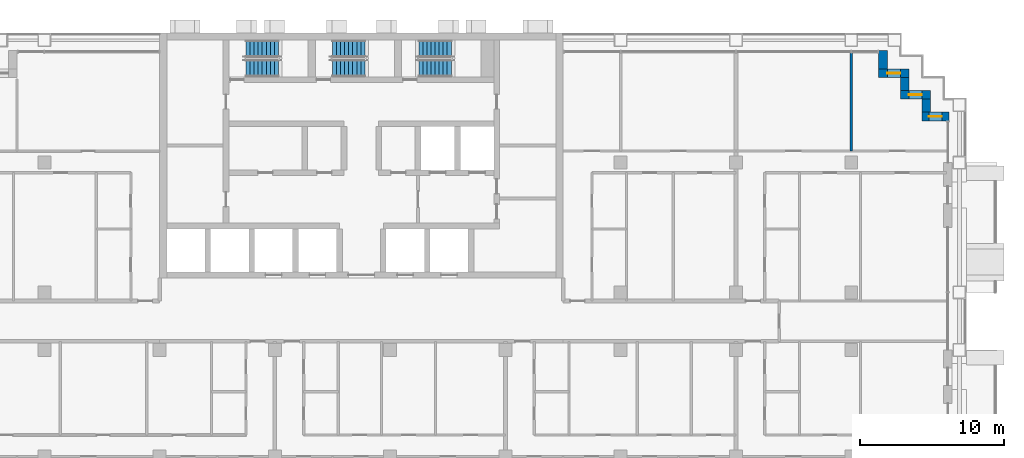
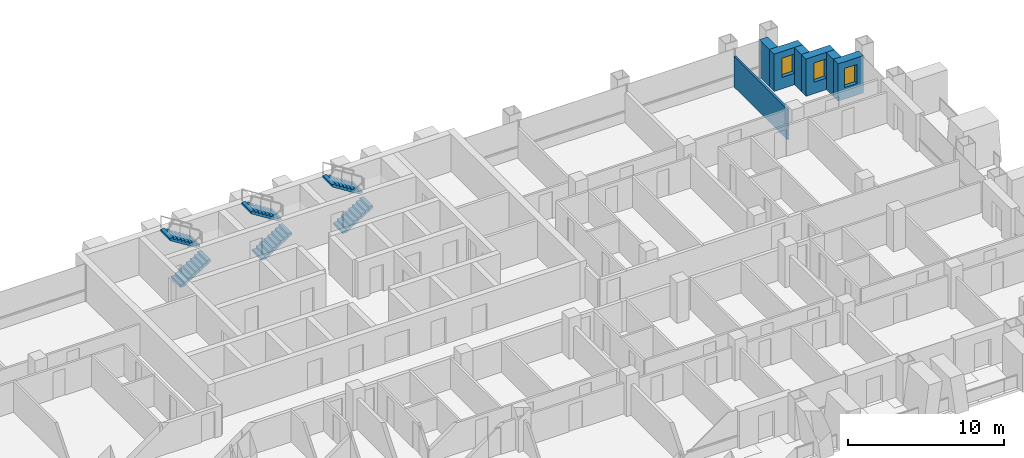
# One storey, part 14 of 18: 7 walls, 6 stair flights, 3 windows, 3 openings, 3 elements without a shape of their own.
"""IFC4 building model written with IfcOpenShell, lengths in metres."""

from ifc_helpers import new_model, si_unit, direction, frame, frame_2d, origin, place, context, subcontext, project, spatial, polyline, rectangle, outline, extrude, material, layer, layer_set, type_object, element, fill, aggregate, save


model = new_model("IFC4")

# Units and contexts
model_context = context("Model", 3, precision=1e-05, world=origin(), true_north=direction((0.0, 1.0)))
body_context = subcontext(model_context, "Body", "Model", "MODEL_VIEW")
ifc_project = project(units=[si_unit("LENGTHUNIT", "METRE"), si_unit("AREAUNIT", "SQUARE_METRE"), si_unit("VOLUMEUNIT", "CUBIC_METRE"), si_unit("PLANEANGLEUNIT", "RADIAN"), si_unit("MASSUNIT", "GRAM", prefix="KILO")], contexts=[model_context])

# Site, building, storey
site_placement = place(None, origin())
site = spatial("IfcSite", under=ifc_project, at=site_placement, CompositionType="ELEMENT")
building_placement = place(site_placement, origin())
building = spatial("IfcBuilding", under=site, at=building_placement, Name="Vidyagriha Tower", CompositionType="ELEMENT")
storey_placement = place(building_placement, frame((0.0, 0.0, 83.89990234375)))
storey = spatial("IfcBuildingStorey", under=building, at=storey_placement, Name="L21", CompositionType="ELEMENT", Elevation=83.89990234375)

# Wall, opening, window
ifc_material_1 = material(Name="Precast concrete C40/50 with brick facing", Category="concrete")
ifc_layer_1 = layer(ifc_material_1, 0.60009765625)
ifc_layer_set_1 = layer_set([ifc_layer_1], Name="Precast concrete C40/50 with brick facing")
wall_type_1 = type_object("IfcWallType", Name="Brick-faced precast wall 600", PredefinedType="STANDARD", material=ifc_layer_set_1)
wall_1_placement = place(storey_placement, frame((40.780029296875, 14.199951171875, 0.0), z_axis=(0.0, 0.0, 1.0), x_axis=(-1.0, 0.0, 0.0)))
wall_1 = element("IfcWall", 1, at=wall_1_placement, inside=storey, type_object=wall_type_1, Name="Stepped corner wall L21 R01", PredefinedType="STANDARD", context=body_context, shape_type="SweptSolid", body=[
    extrude(rectangle(XDim=1.880126953125, YDim=0.60009765625, at=frame_2d((0.93994140625, 0.0))), origin(), (0.0, 0.0, 1.0), 2.920166015625),
])
opening_1_placement = place(wall_1_placement, frame((0.489990234375, 0.0, 0.89990234375)))
opening_1 = element("IfcOpeningElement", 2, at=opening_1_placement, cuts=wall_1, Name="Opening WN1", PredefinedType="OPENING", context=body_context, shape_type="SweptSolid", body=[
    extrude(rectangle(XDim=0.89990234375, YDim=1.5, at=frame_2d((0.449951171875, 0.75))), frame((0.0, 0.31005859375, 0.0), z_axis=(0.0, -1.0, 0.0), x_axis=(1.0, 0.0, 0.0)), (0.0, 0.0, 1.0), 0.6201171875),
])
ifc_material_2 = material(Name="Aluminium and glass window", Category="aluminium")
window_type = type_object("IfcWindowType", Name="Reveal window 900x1500", PartitioningType="NOTDEFINED", PredefinedType="WINDOW", material=ifc_material_2)
window_1_placement = place(opening_1_placement, origin())
window_1 = element("IfcWindow", 3, at=window_1_placement, inside=storey, type_object=window_type, Name="Reveal window L21 R01", OverallHeight=1.5, OverallWidth=0.89990234375, PartitioningType="SINGLE_PANEL", PredefinedType="WINDOW", context=body_context, shape_type="SweptSolid", body=[
    extrude(rectangle(XDim=0.89990234375, YDim=1.5, at=frame_2d((0.449951171875, 0.75))), frame((0.0, 0.030029296875, 0.0), z_axis=(0.0, -1.0, 0.0), x_axis=(1.0, 0.0, 0.0)), (0.0, 0.0, 1.0), 0.06005859375),
])
fill(opening_1, window_1)

# Wall
wall_2_placement = place(storey_placement, frame((39.199951171875, 14.5, 0.0), z_axis=(0.0, 0.0, 1.0), x_axis=(0.0, 1.0, 0.0)))
element("IfcWall", 4, at=wall_2_placement, inside=storey, type_object=wall_type_1, Name="Stepped corner wall L21 R02", PredefinedType="STANDARD", context=body_context, shape_type="SweptSolid", body=[
    extrude(rectangle(XDim=0.89990234375, YDim=0.60009765625, at=frame_2d((0.449951171875, 0.0))), origin(), (0.0, 0.0, 1.0), 2.920166015625),
])

# Wall, opening, window
wall_3_placement = place(storey_placement, frame((39.5, 15.699951171875, 0.0), z_axis=(0.0, 0.0, 1.0), x_axis=(-1.0, 0.0, 0.0)))
wall_3 = element("IfcWall", 5, at=wall_3_placement, inside=storey, type_object=wall_type_1, Name="Stepped corner wall L21 R03", PredefinedType="STANDARD", context=body_context, shape_type="SweptSolid", body=[
    extrude(rectangle(XDim=2.10009765625, YDim=0.60009765625, at=frame_2d((1.050048828125, 0.0))), origin(), (0.0, 0.0, 1.0), 2.920166015625),
])
opening_2_placement = place(wall_3_placement, frame((0.60009765625, 0.0, 0.89990234375)))
opening_2 = element("IfcOpeningElement", 6, at=opening_2_placement, cuts=wall_3, Name="Opening WN1", PredefinedType="OPENING", context=body_context, shape_type="SweptSolid", body=[
    extrude(rectangle(XDim=0.89990234375, YDim=1.5, at=frame_2d((0.449951171875, 0.75))), frame((0.0, 0.31005859375, 0.0), z_axis=(0.0, -1.0, 0.0), x_axis=(1.0, 0.0, 0.0)), (0.0, 0.0, 1.0), 0.6201171875),
])
window_2_placement = place(opening_2_placement, origin())
window_2 = element("IfcWindow", 7, at=window_2_placement, inside=storey, type_object=window_type, Name="Reveal window L21 R03", OverallHeight=1.5, OverallWidth=0.89990234375, PartitioningType="SINGLE_PANEL", PredefinedType="WINDOW", context=body_context, shape_type="SweptSolid", body=[
    extrude(rectangle(XDim=0.89990234375, YDim=1.5, at=frame_2d((0.449951171875, 0.75))), frame((0.0, 0.030029296875, 0.0), z_axis=(0.0, -1.0, 0.0), x_axis=(1.0, 0.0, 0.0)), (0.0, 0.0, 1.0), 0.06005859375),
])
fill(opening_2, window_2)

# Wall
wall_4_placement = place(storey_placement, frame((37.699951171875, 16.0, 0.0), z_axis=(0.0, 0.0, 1.0), x_axis=(0.0, 1.0, 0.0)))
element("IfcWall", 8, at=wall_4_placement, inside=storey, type_object=wall_type_1, Name="Stepped corner wall L21 R04", PredefinedType="STANDARD", context=body_context, shape_type="SweptSolid", body=[
    extrude(rectangle(XDim=0.89990234375, YDim=0.60009765625, at=frame_2d((0.449951171875, 0.0))), origin(), (0.0, 0.0, 1.0), 2.920166015625),
])

# Wall, opening, window
wall_5_placement = place(storey_placement, frame((38.0, 17.199951171875, 0.0), z_axis=(0.0, 0.0, 1.0), x_axis=(-1.0, 0.0, 0.0)))
wall_5 = element("IfcWall", 9, at=wall_5_placement, inside=storey, type_object=wall_type_1, Name="Stepped corner wall L21 R05", PredefinedType="STANDARD", context=body_context, shape_type="SweptSolid", body=[
    extrude(rectangle(XDim=2.10009765625, YDim=0.60009765625, at=frame_2d((1.050048828125, 0.0))), origin(), (0.0, 0.0, 1.0), 2.920166015625),
])
opening_3_placement = place(wall_5_placement, frame((0.60009765625, 0.0, 0.89990234375)))
opening_3 = element("IfcOpeningElement", 10, at=opening_3_placement, cuts=wall_5, Name="Opening WN1", PredefinedType="OPENING", context=body_context, shape_type="SweptSolid", body=[
    extrude(rectangle(XDim=0.89990234375, YDim=1.5, at=frame_2d((0.449951171875, 0.75))), frame((0.0, 0.31005859375, 0.0), z_axis=(0.0, -1.0, 0.0), x_axis=(1.0, 0.0, 0.0)), (0.0, 0.0, 1.0), 0.6201171875),
])
window_3_placement = place(opening_3_placement, origin())
window_3 = element("IfcWindow", 11, at=window_3_placement, inside=storey, type_object=window_type, Name="Reveal window L21 R05", OverallHeight=1.5, OverallWidth=0.89990234375, PartitioningType="SINGLE_PANEL", PredefinedType="WINDOW", context=body_context, shape_type="SweptSolid", body=[
    extrude(rectangle(XDim=0.89990234375, YDim=1.5, at=frame_2d((0.449951171875, 0.75))), frame((0.0, 0.030029296875, 0.0), z_axis=(0.0, -1.0, 0.0), x_axis=(1.0, 0.0, 0.0)), (0.0, 0.0, 1.0), 0.06005859375),
])
fill(opening_3, window_3)

# Walls
wall_6_placement = place(storey_placement, frame((36.199951171875, 17.5, 0.0), z_axis=(0.0, 0.0, 1.0), x_axis=(0.0, 1.0, 0.0)))
element("IfcWall", 12, at=wall_6_placement, inside=storey, type_object=wall_type_1, Name="Stepped corner wall L21 R06", PredefinedType="STANDARD", context=body_context, shape_type="SweptSolid", body=[
    extrude(rectangle(XDim=1.280029296875, YDim=0.60009765625, at=frame_2d((0.64013671875, 0.0))), origin(), (0.0, 0.0, 1.0), 2.920166015625),
])
ifc_material_3 = material(Name="Gypsum board partition")
ifc_layer_2 = layer(ifc_material_3, 0.14990234375)
ifc_layer_set_2 = layer_set([ifc_layer_2], Name="Gypsum board partition")
wall_type_2 = type_object("IfcWallType", Name="Gypsum board partition 150", PredefinedType="PARTITIONING", material=ifc_layer_set_2)
wall_7_placement = place(storey_placement, frame((34.0, 18.62109375, 0.0), z_axis=(0.0, 0.0, 1.0), x_axis=(0.0, -1.0, 0.0)))
element("IfcWall", 13, at=wall_7_placement, inside=storey, type_object=wall_type_2, Name="Wall all-L21-w120", PredefinedType="PARTITIONING", context=body_context, shape_type="SweptSolid", body=[
    extrude(rectangle(XDim=6.821044921875, YDim=0.14990234375, at=frame_2d((3.41064453125, 0.0))), origin(), (0.0, 0.0, 1.0), 2.400146484375),
])

# Stair, stair flights
ifc_material_4 = material(Name="Concrete C40/50", Category="concrete")
stair_type = type_object("IfcStairType", Name="Exit stair, half-turn, precast flights", PredefinedType="HALF_TURN_STAIR", material=ifc_material_4)
stair_1_placement = place(storey_placement, origin())
stair_1 = element("IfcStair", 14, at=stair_1_placement, inside=storey, type_object=stair_type, Name="L21 Exit Stair ST1", PredefinedType="HALF_TURN_STAIR")
ifc_material_5 = material(Name="Precast concrete C40/50", Category="concrete")
stair_flight_type = type_object("IfcStairFlightType", Name="Exit stair flight 1200 mm, precast", PredefinedType="STRAIGHT", material=ifc_material_5)
stair_flight_1_placement = place(storey_placement, frame((-8.0, 17.550048828125, 0.0)))
stair_flight_1 = element("IfcStairFlight", 15, at=stair_flight_1_placement, type_object=stair_flight_type, Name="ST1 flight 1", NumberOfRisers=9, NumberOfTreads=8, PredefinedType="STRAIGHT", RiserHeight=0.177777778, TreadLength=0.28, context=body_context, shape_type="SweptSolid", body=[
    extrude(outline(polyline([(0.0, 0.0), (0.0, 0.177734375), (0.280029296875, 0.177734375), (0.280029296875, 0.35546875), (0.56005859375, 0.35546875), (0.56005859375, 0.533447265625), (0.840087890625, 0.533447265625), (0.840087890625, 0.711181640625), (1.1201171875, 0.711181640625), (1.1201171875, 0.888916015625), (1.39990234375, 0.888916015625), (1.39990234375, 1.066650390625), (1.679931640625, 1.066650390625), (1.679931640625, 1.244384765625), (1.9599609375, 1.244384765625), (1.9599609375, 1.422119140625), (2.239990234375, 1.422119140625), (2.239990234375, 1.60009765625), (2.239990234375, 1.24462890625), (0.27978515625, 0.0), (0.0, 0.0)])), frame((0.0, 0.60009765625, 0.0), z_axis=(0.0, -1.0, 0.0), x_axis=(1.0, 0.0, 0.0)), (0.0, 0.0, 1.0), 1.199951171875),
])
stair_flight_2_placement = place(storey_placement, frame((-5.760009765625, 18.89990234375, 1.60009765625), z_axis=(0.0, 0.0, 1.0), x_axis=(-1.0, 0.0, 0.0)))
stair_flight_2 = element("IfcStairFlight", 16, at=stair_flight_2_placement, type_object=stair_flight_type, Name="ST1 flight 2", NumberOfRisers=9, NumberOfTreads=8, PredefinedType="STRAIGHT", RiserHeight=0.177777778, TreadLength=0.28, context=body_context, shape_type="SweptSolid", body=[
    extrude(outline(polyline([(0.0, 0.0), (0.0, 0.177734375), (0.280029296875, 0.177734375), (0.280029296875, 0.35546875), (0.56005859375, 0.35546875), (0.56005859375, 0.533447265625), (0.840087890625, 0.533447265625), (0.840087890625, 0.711181640625), (1.1201171875, 0.711181640625), (1.1201171875, 0.888916015625), (1.39990234375, 0.888916015625), (1.39990234375, 1.066650390625), (1.679931640625, 1.066650390625), (1.679931640625, 1.244384765625), (1.9599609375, 1.244384765625), (1.9599609375, 1.422119140625), (2.239990234375, 1.422119140625), (2.239990234375, 1.60009765625), (2.239990234375, 1.24462890625), (0.27978515625, 0.0), (0.0, 0.0)])), frame((0.0, 0.60009765625, 0.0), z_axis=(0.0, -1.0, 0.0), x_axis=(1.0, 0.0, 0.0)), (0.0, 0.0, 1.0), 1.199951171875),
])
aggregate(stair_1, [stair_flight_1, stair_flight_2])

stair_2_placement = place(storey_placement, origin())
stair_2 = element("IfcStair", 17, at=stair_2_placement, inside=storey, type_object=stair_type, Name="L21 Exit Stair ST2", PredefinedType="HALF_TURN_STAIR")
stair_flight_3_placement = place(storey_placement, frame((-2.0, 17.550048828125, 0.0)))
stair_flight_3 = element("IfcStairFlight", 18, at=stair_flight_3_placement, type_object=stair_flight_type, Name="ST2 flight 1", NumberOfRisers=9, NumberOfTreads=8, PredefinedType="STRAIGHT", RiserHeight=0.177777778, TreadLength=0.28, context=body_context, shape_type="SweptSolid", body=[
    extrude(outline(polyline([(0.0, 0.0), (0.0, 0.177734375), (0.280029296875, 0.177734375), (0.280029296875, 0.35546875), (0.56005859375, 0.35546875), (0.56005859375, 0.533447265625), (0.840087890625, 0.533447265625), (0.840087890625, 0.711181640625), (1.1201171875, 0.711181640625), (1.1201171875, 0.888916015625), (1.39990234375, 0.888916015625), (1.39990234375, 1.066650390625), (1.679931640625, 1.066650390625), (1.679931640625, 1.244384765625), (1.9599609375, 1.244384765625), (1.9599609375, 1.422119140625), (2.239990234375, 1.422119140625), (2.239990234375, 1.60009765625), (2.239990234375, 1.24462890625), (0.27978515625, 0.0), (0.0, 0.0)])), frame((0.0, 0.60009765625, 0.0), z_axis=(0.0, -1.0, 0.0), x_axis=(1.0, 0.0, 0.0)), (0.0, 0.0, 1.0), 1.199951171875),
])
stair_flight_4_placement = place(storey_placement, frame((0.239990234375, 18.89990234375, 1.60009765625), z_axis=(0.0, 0.0, 1.0), x_axis=(-1.0, 0.0, 0.0)))
stair_flight_4 = element("IfcStairFlight", 19, at=stair_flight_4_placement, type_object=stair_flight_type, Name="ST2 flight 2", NumberOfRisers=9, NumberOfTreads=8, PredefinedType="STRAIGHT", RiserHeight=0.177777778, TreadLength=0.28, context=body_context, shape_type="SweptSolid", body=[
    extrude(outline(polyline([(0.0, 0.0), (0.0, 0.177734375), (0.280029296875, 0.177734375), (0.280029296875, 0.35546875), (0.56005859375, 0.35546875), (0.56005859375, 0.533447265625), (0.840087890625, 0.533447265625), (0.840087890625, 0.711181640625), (1.1201171875, 0.711181640625), (1.1201171875, 0.888916015625), (1.39990234375, 0.888916015625), (1.39990234375, 1.066650390625), (1.679931640625, 1.066650390625), (1.679931640625, 1.244384765625), (1.9599609375, 1.244384765625), (1.9599609375, 1.422119140625), (2.239990234375, 1.422119140625), (2.239990234375, 1.60009765625), (2.239990234375, 1.24462890625), (0.27978515625, 0.0), (0.0, 0.0)])), frame((0.0, 0.60009765625, 0.0), z_axis=(0.0, -1.0, 0.0), x_axis=(1.0, 0.0, 0.0)), (0.0, 0.0, 1.0), 1.199951171875),
])
aggregate(stair_2, [stair_flight_3, stair_flight_4])

stair_3_placement = place(storey_placement, origin())
stair_3 = element("IfcStair", 20, at=stair_3_placement, inside=storey, type_object=stair_type, Name="L21 Exit Stair ST3", PredefinedType="HALF_TURN_STAIR")
stair_flight_5_placement = place(storey_placement, frame((4.0, 17.550048828125, 0.0)))
stair_flight_5 = element("IfcStairFlight", 21, at=stair_flight_5_placement, type_object=stair_flight_type, Name="ST3 flight 1", NumberOfRisers=9, NumberOfTreads=8, PredefinedType="STRAIGHT", RiserHeight=0.177777778, TreadLength=0.28, context=body_context, shape_type="SweptSolid", body=[
    extrude(outline(polyline([(0.0, 0.0), (0.0, 0.177734375), (0.280029296875, 0.177734375), (0.280029296875, 0.35546875), (0.56005859375, 0.35546875), (0.56005859375, 0.533447265625), (0.840087890625, 0.533447265625), (0.840087890625, 0.711181640625), (1.1201171875, 0.711181640625), (1.1201171875, 0.888916015625), (1.39990234375, 0.888916015625), (1.39990234375, 1.066650390625), (1.679931640625, 1.066650390625), (1.679931640625, 1.244384765625), (1.9599609375, 1.244384765625), (1.9599609375, 1.422119140625), (2.239990234375, 1.422119140625), (2.239990234375, 1.60009765625), (2.239990234375, 1.24462890625), (0.27978515625, 0.0), (0.0, 0.0)])), frame((0.0, 0.60009765625, 0.0), z_axis=(0.0, -1.0, 0.0), x_axis=(1.0, 0.0, 0.0)), (0.0, 0.0, 1.0), 1.199951171875),
])
stair_flight_6_placement = place(storey_placement, frame((6.239990234375, 18.89990234375, 1.60009765625), z_axis=(0.0, 0.0, 1.0), x_axis=(-1.0, 0.0, 0.0)))
stair_flight_6 = element("IfcStairFlight", 22, at=stair_flight_6_placement, type_object=stair_flight_type, Name="ST3 flight 2", NumberOfRisers=9, NumberOfTreads=8, PredefinedType="STRAIGHT", RiserHeight=0.177777778, TreadLength=0.28, context=body_context, shape_type="SweptSolid", body=[
    extrude(outline(polyline([(0.0, 0.0), (0.0, 0.177734375), (0.280029296875, 0.177734375), (0.280029296875, 0.35546875), (0.56005859375, 0.35546875), (0.56005859375, 0.533447265625), (0.840087890625, 0.533447265625), (0.840087890625, 0.711181640625), (1.1201171875, 0.711181640625), (1.1201171875, 0.888916015625), (1.39990234375, 0.888916015625), (1.39990234375, 1.066650390625), (1.679931640625, 1.066650390625), (1.679931640625, 1.244384765625), (1.9599609375, 1.244384765625), (1.9599609375, 1.422119140625), (2.239990234375, 1.422119140625), (2.239990234375, 1.60009765625), (2.239990234375, 1.24462890625), (0.27978515625, 0.0), (0.0, 0.0)])), frame((0.0, 0.60009765625, 0.0), z_axis=(0.0, -1.0, 0.0), x_axis=(1.0, 0.0, 0.0)), (0.0, 0.0, 1.0), 1.199951171875),
])
aggregate(stair_3, [stair_flight_5, stair_flight_6])

save(model, "model.ifc")
